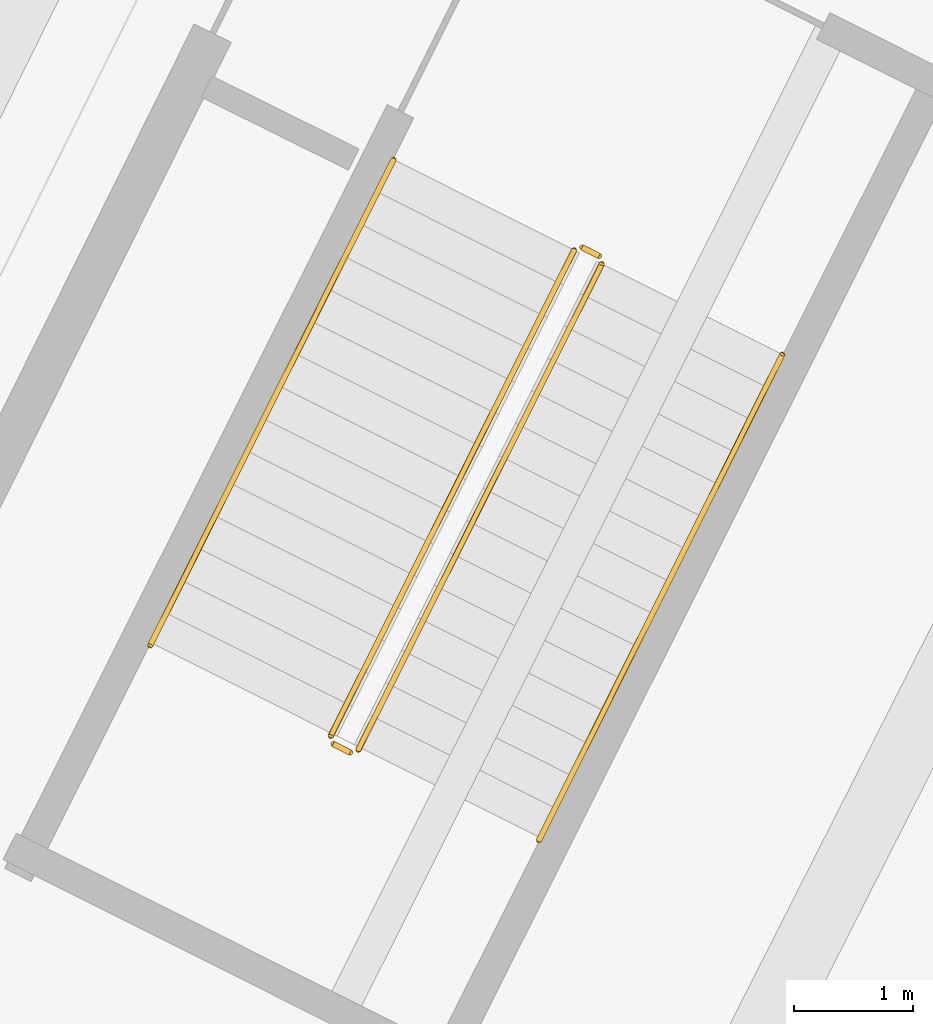
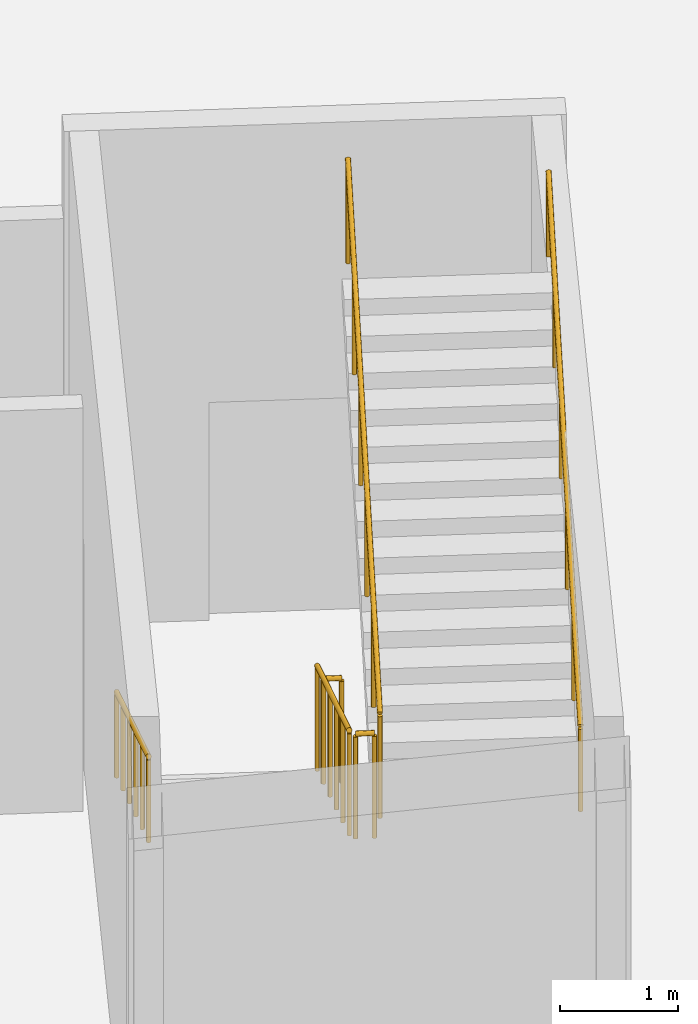
# One storey, part 69 of 103: 6 railings.
"""IFC4 building model written with IfcOpenShell, lengths in metres."""

from ifc_helpers import new_model, si_unit, direction, frame, origin, origin_2d, place, context, subcontext, project, spatial, circle, extrude, material, type_object, element, save


model = new_model("IFC4")

# Units and contexts
model_context = context("Model", 3, precision=1e-05, world=origin(), true_north=direction((0.0, 1.0)))
body_context = subcontext(model_context, "Body", "Model", "MODEL_VIEW")
ifc_project = project(units=[si_unit("LENGTHUNIT", "METRE"), si_unit("AREAUNIT", "SQUARE_METRE"), si_unit("VOLUMEUNIT", "CUBIC_METRE"), si_unit("PLANEANGLEUNIT", "RADIAN"), si_unit("MASSUNIT", "GRAM", prefix="KILO")], contexts=[model_context])

# Site, building, storey
site_placement = place(None, origin())
site = spatial("IfcSite", under=ifc_project, at=site_placement, CompositionType="ELEMENT")
building_placement = place(site_placement, origin())
building = spatial("IfcBuilding", under=site, at=building_placement, Name="Zevraka Park Crest Stadium", CompositionType="ELEMENT")
storey_placement = place(building_placement, origin())
storey = spatial("IfcBuildingStorey", under=building, at=storey_placement, Name="L00", CompositionType="ELEMENT", Elevation=0.0)

# Railings
ifc_material_1 = material(Name="Powder-coated tubular steel stairwell guard", Category="steel")
railing_type_1 = type_object("IfcRailingType", Name="GR03", PredefinedType="GUARDRAIL", material=ifc_material_1)
railing_1_placement = place(storey_placement, frame((33.4677734375, 121.034912109375, 0.168701171875)))
element("IfcRailing", 1, at=railing_1_placement, inside=storey, type_object=railing_type_1, Name="L00 ST11 stair guard 1", PredefinedType="GUARDRAIL", context=body_context, shape_type="SweptSolid", body=[
    extrude(circle(Radius=0.02392578125, at=origin_2d()), frame((0.0, 0.0, 1.076171875), z_axis=(-0.391907807358, -0.782321387403, 0.484129649313), x_axis=(0.89408539104, -0.447896543333, 0.0)), (0.0, 0.0, 1.0), 5.228515625),
    extrude(circle(Radius=0.02099609375, at=origin_2d()), origin(), (0.0, 0.0, 1.0), 1.052001953125),
    extrude(circle(Radius=0.02099609375, at=origin_2d()), frame((-0.409912109375, -0.818115234375, 0.50634765625)), (0.0, 0.0, 1.0), 1.052001953125),
    extrude(circle(Radius=0.02099609375, at=origin_2d()), frame((-0.819580078125, -1.63623046875, 1.012451171875)), (0.0, 0.0, 1.0), 1.052001953125),
    extrude(circle(Radius=0.02099609375, at=origin_2d()), frame((-1.2294921875, -2.4541015625, 1.518798828125)), (0.0, 0.0, 1.0), 1.052001953125),
    extrude(circle(Radius=0.02099609375, at=origin_2d()), frame((-1.63916015625, -3.272216796875, 2.02490234375)), (0.0, 0.0, 1.0), 1.052001953125),
    extrude(circle(Radius=0.02099609375, at=origin_2d()), frame((-2.049072265625, -4.09033203125, 2.53125)), (0.0, 0.0, 1.0), 1.052001953125),
])
railing_2_placement = place(storey_placement, frame((31.44091796875, 116.87744140625, 2.699951171875)))
element("IfcRailing", 2, at=railing_2_placement, inside=storey, type_object=railing_type_1, Name="L00 ST11 stair guard 2", PredefinedType="GUARDRAIL", context=body_context, shape_type="SweptSolid", body=[
    extrude(circle(Radius=0.02392578125, at=origin_2d()), frame((0.0, 0.0, 1.076171875), z_axis=(0.894427191, -0.4472135955, 0.0), x_axis=(0.4472135955, 0.894427191, 0.0)), (0.0, 0.0, 1.0), 0.159912109375),
    extrude(circle(Radius=0.02099609375, at=origin_2d()), origin(), (0.0, 0.0, 1.0), 1.052001953125),
    extrude(circle(Radius=0.02099609375, at=origin_2d()), frame((0.14306640625, -0.071533203125, 0.0)), (0.0, 0.0, 1.0), 1.052001953125),
])
railing_3_placement = place(storey_placement, frame((31.651123046875, 116.828125, 2.86865234375)))
element("IfcRailing", 3, at=railing_3_placement, inside=storey, type_object=railing_type_1, Name="L00 ST11 stair guard 3", PredefinedType="GUARDRAIL", context=body_context, shape_type="SweptSolid", body=[
    extrude(circle(Radius=0.02392578125, at=origin_2d()), frame((0.0, 0.0, 1.076171875), z_axis=(0.391907807358, 0.782321387403, 0.484129649313), x_axis=(-0.89408539104, 0.447896543333, 0.0)), (0.0, 0.0, 1.0), 5.228515625),
    extrude(circle(Radius=0.02099609375, at=origin_2d()), origin(), (0.0, 0.0, 1.0), 1.052001953125),
    extrude(circle(Radius=0.02099609375, at=origin_2d()), frame((0.409912109375, 0.818115234375, 0.50634765625)), (0.0, 0.0, 1.0), 1.052001953125),
    extrude(circle(Radius=0.02099609375, at=origin_2d()), frame((0.819580078125, 1.63623046875, 1.012451171875)), (0.0, 0.0, 1.0), 1.052001953125),
    extrude(circle(Radius=0.02099609375, at=origin_2d()), frame((1.2294921875, 2.4541015625, 1.518798828125)), (0.0, 0.0, 1.0), 1.052001953125),
    extrude(circle(Radius=0.02099609375, at=origin_2d()), frame((1.63916015625, 3.272216796875, 2.02490234375)), (0.0, 0.0, 1.0), 1.052001953125),
    extrude(circle(Radius=0.02099609375, at=origin_2d()), frame((2.049072265625, 4.09033203125, 2.53125)), (0.0, 0.0, 1.0), 1.052001953125),
])
railing_4_placement = place(storey_placement, frame((33.534912109375, 121.057373046875, 0.0)))
element("IfcRailing", 4, at=railing_4_placement, inside=storey, type_object=railing_type_1, Name="L00 ST11 stair guard 4", PredefinedType="GUARDRAIL", context=body_context, shape_type="SweptSolid", body=[
    extrude(circle(Radius=0.02392578125, at=origin_2d()), frame((0.0, 0.0, 1.076171875), z_axis=(0.893816245171, -0.44843340628, 0.0), x_axis=(0.44843340628, 0.893816245171, 0.0)), (0.0, 0.0, 1.0), 0.16015625),
    extrude(circle(Radius=0.02099609375, at=origin_2d()), origin(), (0.0, 0.0, 1.0), 1.052001953125),
    extrude(circle(Radius=0.02099609375, at=origin_2d()), frame((0.14306640625, -0.07177734375, 0.0)), (0.0, 0.0, 1.0), 1.052001953125),
])
ifc_material_2 = material(Name="Brushed stainless steel continuous handrail", Category="steel")
railing_type_2 = type_object("IfcRailingType", Name="HR01", PredefinedType="HANDRAIL", material=ifc_material_2)
railing_5_placement = place(storey_placement, frame((31.947998046875, 121.79638671875, 0.168701171875)))
element("IfcRailing", 5, at=railing_5_placement, inside=storey, type_object=railing_type_2, Name="L00 ST11 stair handrail 1", PredefinedType="HANDRAIL", context=body_context, shape_type="SweptSolid", body=[
    extrude(circle(Radius=0.02392578125, at=origin_2d()), frame((0.0, 0.0, 0.8759765625), z_axis=(-0.391947328971, -0.782307070478, 0.484120789466), x_axis=(0.894064019909, -0.447939201571, 0.0)), (0.0, 0.0, 1.0), 5.228515625),
    extrude(circle(Radius=0.02099609375, at=origin_2d()), origin(), (0.0, 0.0, 1.0), 0.851806640625),
    extrude(circle(Radius=0.02099609375, at=origin_2d()), frame((-0.409912109375, -0.818115234375, 0.50634765625)), (0.0, 0.0, 1.0), 0.851806640625),
    extrude(circle(Radius=0.02099609375, at=origin_2d()), frame((-0.81982421875, -1.63623046875, 1.012451171875)), (0.0, 0.0, 1.0), 0.851806640625),
    extrude(circle(Radius=0.02099609375, at=origin_2d()), frame((-1.2294921875, -2.4541015625, 1.518798828125)), (0.0, 0.0, 1.0), 0.851806640625),
    extrude(circle(Radius=0.02099609375, at=origin_2d()), frame((-1.639404296875, -3.272216796875, 2.02490234375)), (0.0, 0.0, 1.0), 0.851806640625),
    extrude(circle(Radius=0.02099609375, at=origin_2d()), frame((-2.04931640625, -4.09033203125, 2.53125)), (0.0, 0.0, 1.0), 0.851806640625),
])
railing_6_placement = place(storey_placement, frame((33.171142578125, 116.066650390625, 2.86865234375)))
element("IfcRailing", 6, at=railing_6_placement, inside=storey, type_object=railing_type_2, Name="L00 ST11 stair handrail 2", PredefinedType="HANDRAIL", context=body_context, shape_type="SweptSolid", body=[
    extrude(circle(Radius=0.02392578125, at=origin_2d()), frame((0.0, 0.0, 0.8759765625), z_axis=(0.391907807358, 0.782321387403, 0.484129649313), x_axis=(-0.89408539104, 0.447896543333, 0.0)), (0.0, 0.0, 1.0), 5.228515625),
    extrude(circle(Radius=0.02099609375, at=origin_2d()), origin(), (0.0, 0.0, 1.0), 0.851806640625),
    extrude(circle(Radius=0.02099609375, at=origin_2d()), frame((0.409912109375, 0.818115234375, 0.50634765625)), (0.0, 0.0, 1.0), 0.851806640625),
    extrude(circle(Radius=0.02099609375, at=origin_2d()), frame((0.819580078125, 1.63623046875, 1.012451171875)), (0.0, 0.0, 1.0), 0.851806640625),
    extrude(circle(Radius=0.02099609375, at=origin_2d()), frame((1.2294921875, 2.4541015625, 1.518798828125)), (0.0, 0.0, 1.0), 0.851806640625),
    extrude(circle(Radius=0.02099609375, at=origin_2d()), frame((1.63916015625, 3.272216796875, 2.02490234375)), (0.0, 0.0, 1.0), 0.851806640625),
    extrude(circle(Radius=0.02099609375, at=origin_2d()), frame((2.049072265625, 4.09033203125, 2.53125)), (0.0, 0.0, 1.0), 0.851806640625),
])

save(model, "model.ifc")
